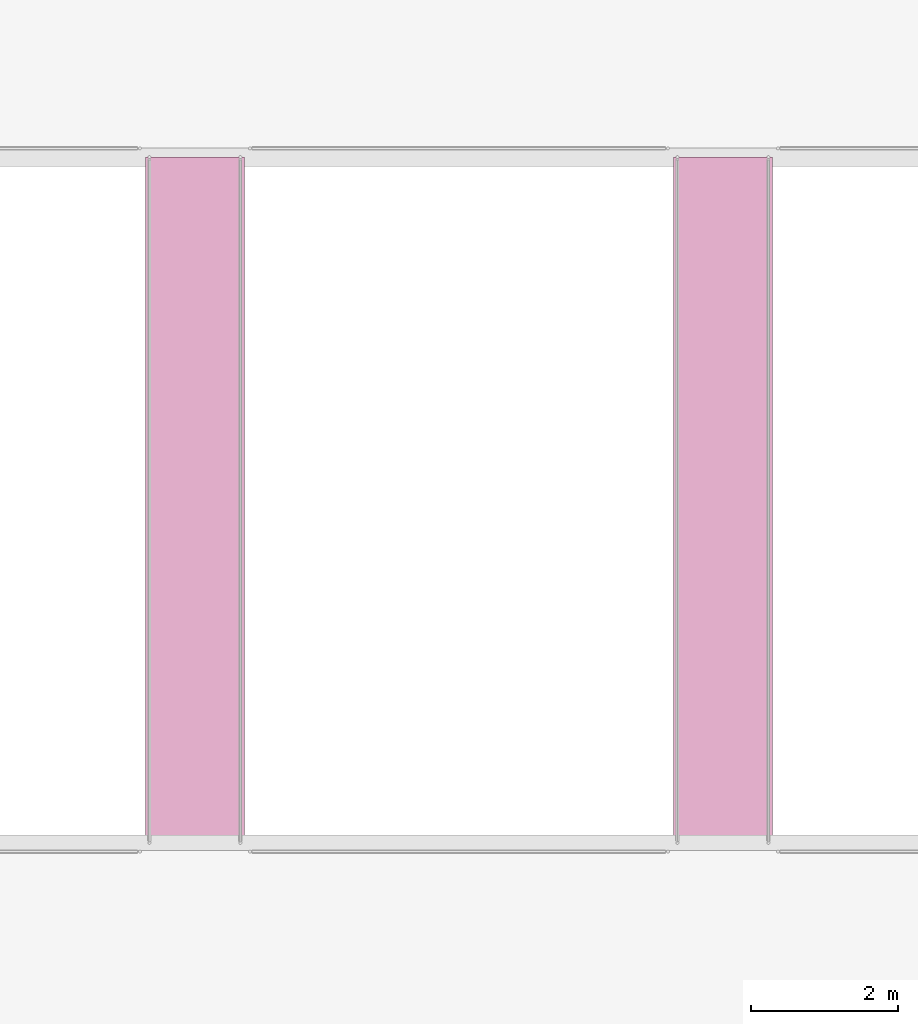
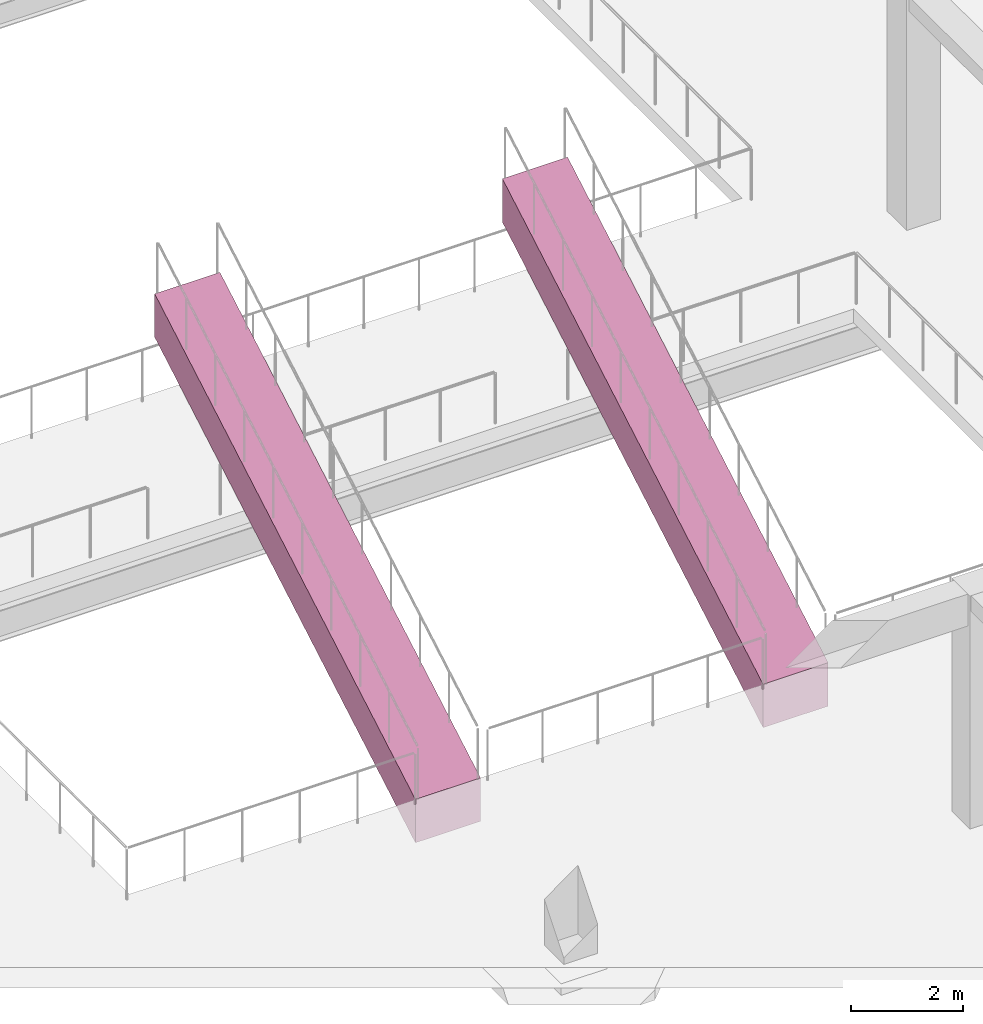
# One storey, part 96 of 96: 2 transport elements.
"""IFC4 building model written with IfcOpenShell, lengths in metres."""

from ifc_helpers import new_model, si_unit, direction, frame, origin, place, context, subcontext, project, spatial, polyline, outline, extrude, material, type_object, element, save


model = new_model("IFC4")

# Units and contexts
model_context = context("Model", 3, precision=1e-05, world=origin(), true_north=direction((0.0, 1.0)))
body_context = subcontext(model_context, "Body", "Model", "MODEL_VIEW")
ifc_project = project(units=[si_unit("LENGTHUNIT", "METRE"), si_unit("AREAUNIT", "SQUARE_METRE"), si_unit("VOLUMEUNIT", "CUBIC_METRE"), si_unit("PLANEANGLEUNIT", "RADIAN"), si_unit("MASSUNIT", "GRAM", prefix="KILO")], contexts=[model_context])

# Site, building, storey
site_placement = place(None, origin())
site = spatial("IfcSite", under=ifc_project, at=site_placement, CompositionType="ELEMENT")
building_placement = place(site_placement, origin())
building = spatial("IfcBuilding", under=site, at=building_placement, Name="Almacenes y Pasaje Nevantli", CompositionType="ELEMENT")
storey_placement = place(building_placement, frame((0.0, 0.0, 6.0)))
storey = spatial("IfcBuildingStorey", under=building, at=storey_placement, Name="L02", CompositionType="ELEMENT", Elevation=6.0)

# Transport elements
ifc_material = material(Name="Stainless Steel Truss Escalator Assembly", Category="steel")
transport_element_type = type_object("IfcTransportElementType", Name="TRN-ESCALATOR-1000", PredefinedType="ESCALATOR", material=ifc_material)
for number, where, z_axis, x_axis, name in (
    (1, (42.60009765625, 47.449951171875, 0.0), (0.0, 0.0, 1.0), (0.0, 1.0, 0.0), "Atrium Crisscross Escalator ESC-03 (L02 to L03)"),
    (2, (49.800048828125, 47.449951171875, 0.0), (0.0, 0.0, 1.0), (0.0, 1.0, 0.0), "Atrium Crisscross Escalator ESC-04 (L03 to L02)"),
):
    element("IfcTransportElement", number, at=place(storey_placement, frame(where, z_axis=z_axis, x_axis=x_axis)), inside=storey, type_object=transport_element_type, Name=name, PredefinedType="ESCALATOR", context=body_context, shape_type="SweptSolid", body=[
        extrude(outline(polyline([(0.0, -0.949951171875), (9.35009765625, 4.449951171875), (9.35009765625, 5.39990234375), (0.0, 0.0), (0.0, -0.949951171875)])), frame((0.0, 0.675048828125, 0.0), z_axis=(0.0, -1.0, 0.0), x_axis=(1.0, 0.0, 0.0)), (0.0, 0.0, 1.0), 1.35009765625),
    ])

save(model, "model.ifc")
